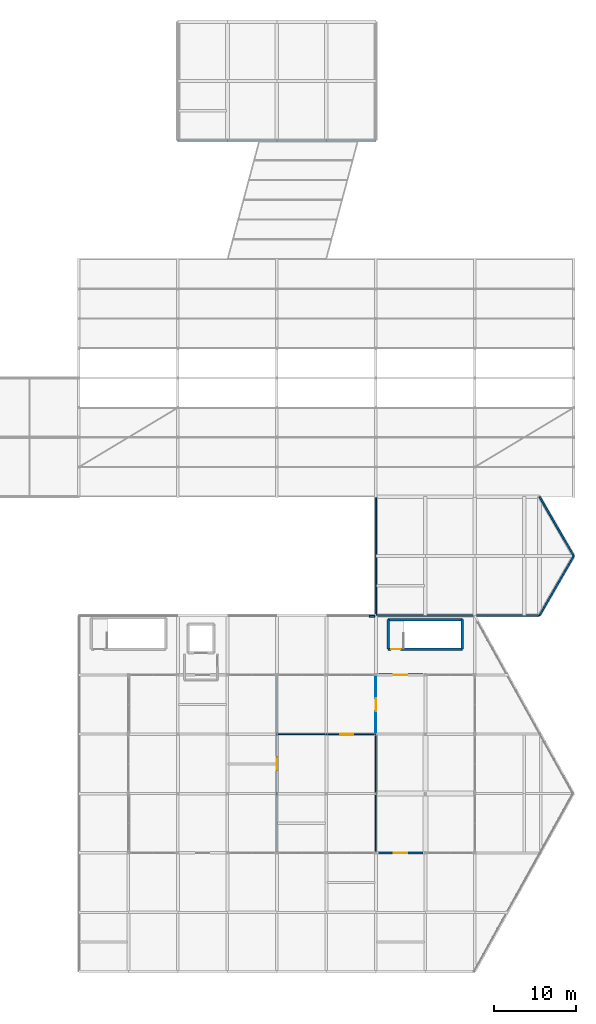
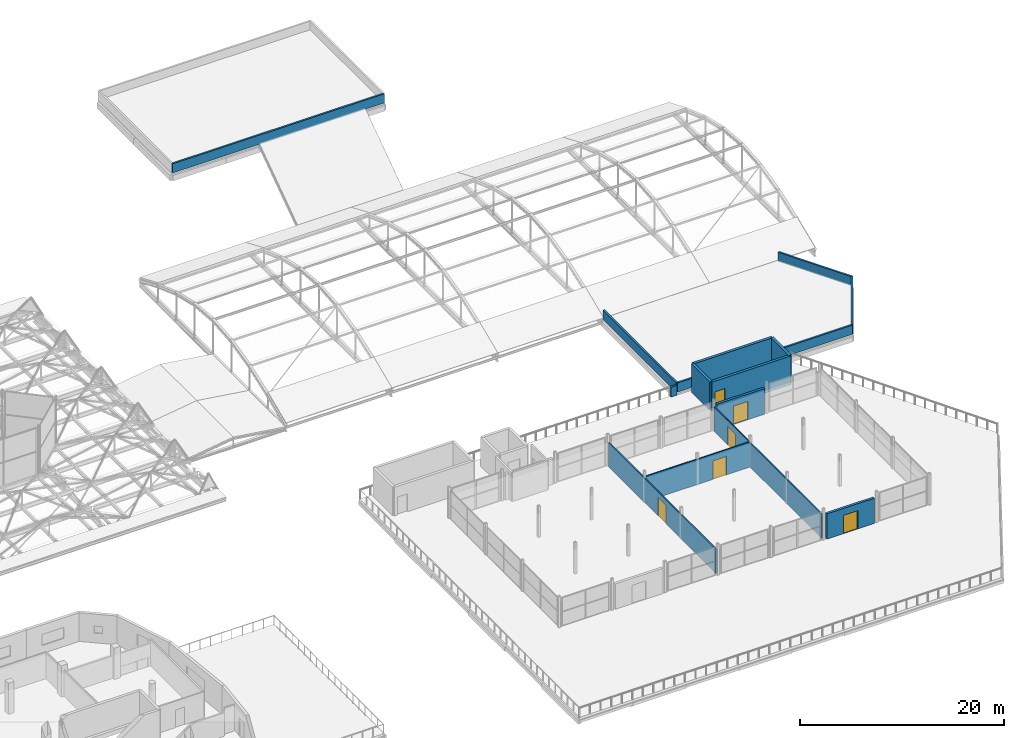
# One storey, part 230 of 239: 16 walls, 6 doors, 6 openings.
"""IFC4 building model written with IfcOpenShell, lengths in metres."""

from ifc_helpers import new_model, si_unit, direction, frame, frame_2d, origin, place, context, subcontext, project, spatial, rectangle, extrude, material, layer, layer_set, type_object, element, fill, save


model = new_model("IFC4")

# Units and contexts
model_context = context("Model", 3, precision=1e-05, world=origin(), true_north=direction((0.0, 1.0)))
body_context = subcontext(model_context, "Body", "Model", "MODEL_VIEW")
ifc_project = project(units=[si_unit("LENGTHUNIT", "METRE"), si_unit("AREAUNIT", "SQUARE_METRE"), si_unit("VOLUMEUNIT", "CUBIC_METRE"), si_unit("PLANEANGLEUNIT", "RADIAN"), si_unit("MASSUNIT", "GRAM", prefix="KILO")], contexts=[model_context])

# Site, building, storey
site_placement = place(None, origin())
site = spatial("IfcSite", under=ifc_project, at=site_placement, CompositionType="ELEMENT")
building_placement = place(site_placement, origin())
building = spatial("IfcBuilding", under=site, at=building_placement, Name="Dunvalen Ferry Terminal", CompositionType="ELEMENT")
storey_placement = place(building_placement, frame((0.0, 0.0, 9.840087890625)))
storey = spatial("IfcBuildingStorey", under=building, at=storey_placement, Name="L02", CompositionType="ELEMENT", Elevation=9.840087890625)

# Walls
ifc_material_1 = material(Name="Precast concrete C40/50", Category="concrete")
ifc_layer_1 = layer(ifc_material_1, 0.199951171875, Name="Precast concrete C40/50")
ifc_layer_set_1 = layer_set([ifc_layer_1], Name="Precast concrete C40/50")
wall_type_1 = type_object("IfcWallType", Name="ENV-WL-PAR200", PredefinedType="PARAPET", material=ifc_layer_set_1)
wall_1_placement = place(storey_placement, frame((144.0, 43.199951171875, 0.239990234375), z_axis=(0.0, 0.0, 1.0), x_axis=(1.0, 0.0, 0.0)))
element("IfcWall", 1, at=wall_1_placement, inside=storey, type_object=wall_type_1, Name="L02 V2ASE Roof Parapet 01", PredefinedType="PARAPET", context=body_context, shape_type="SweptSolid", body=[
    extrude(rectangle(XDim=19.843017578125, YDim=0.199951171875, at=frame_2d((9.92138671875, 0.0))), origin(), (0.0, 0.0, 1.0), 1.099853515625),
])
wall_2_placement = place(storey_placement, frame((163.843017578125, 43.199951171875, 0.239990234375), z_axis=(0.0, 0.0, 1.0), x_axis=(0.500007999416, 0.86602078527, 0.0)))
element("IfcWall", 2, at=wall_2_placement, inside=storey, type_object=wall_type_1, Name="L02 V2ASE Roof Parapet 02", PredefinedType="PARAPET", context=body_context, shape_type="SweptSolid", body=[
    extrude(rectangle(XDim=8.313720703125, YDim=0.199951171875, at=frame_2d((4.15673828125, 0.0))), origin(), (0.0, 0.0, 1.0), 1.099853515625),
])
wall_3_placement = place(storey_placement, frame((168.0, 50.39990234375, 0.239990234375), z_axis=(0.0, 0.0, 1.0), x_axis=(-0.499995283874, 0.866028126624, 0.0)))
element("IfcWall", 3, at=wall_3_placement, inside=storey, type_object=wall_type_1, Name="L02 V2ASE Roof Parapet 03", PredefinedType="PARAPET", context=body_context, shape_type="SweptSolid", body=[
    extrude(rectangle(XDim=8.31396484375, YDim=0.199951171875, at=frame_2d((4.156982421875, 0.0))), origin(), (0.0, 0.0, 1.0), 1.099853515625),
])
wall_4_placement = place(storey_placement, frame((144.0, 57.60009765625, 0.239990234375), z_axis=(0.0, 0.0, 1.0), x_axis=(0.0, -1.0, 0.0)))
element("IfcWall", 4, at=wall_4_placement, inside=storey, type_object=wall_type_1, Name="L02 V2ASE Roof Parapet 05", PredefinedType="PARAPET", context=body_context, shape_type="SweptSolid", body=[
    extrude(rectangle(XDim=14.400146484375, YDim=0.199951171875, at=frame_2d((7.2001953125, 0.0))), origin(), (0.0, 0.0, 1.0), 1.099853515625),
])
wall_5_placement = place(storey_placement, frame((120.0, 100.800048828125, 0.0), z_axis=(0.0, 0.0, 1.0), x_axis=(1.0, 0.0, 0.0)))
element("IfcWall", 5, at=wall_5_placement, inside=storey, type_object=wall_type_1, Name="L02 Berth Pavilion 2 S Parapet", PredefinedType="PARAPET", context=body_context, shape_type="SweptSolid", body=[
    extrude(rectangle(XDim=24.0, YDim=0.199951171875, at=frame_2d((12.0, 0.0))), origin(), (0.0, 0.0, 1.0), 1.099853515625),
])
ifc_layer_2 = layer(ifc_material_1, 0.219970703125, Name="Precast concrete C40/50")
ifc_layer_set_2 = layer_set([ifc_layer_2], Name="Precast concrete C40/50")
wall_type_2 = type_object("IfcWallType", Name="ENV-WL-PAR220", PredefinedType="PARAPET", material=ifc_layer_set_2)
wall_6_placement = place(storey_placement, frame((143.199951171875, 43.10009765625, 0.0), z_axis=(0.0, 0.0, 1.0), x_axis=(1.0, 0.0, 0.0)))
element("IfcWall", 6, at=wall_6_placement, inside=storey, type_object=wall_type_2, Name="L02 Promenade North-East Dividing Parapet", PredefinedType="PARAPET", context=body_context, shape_type="SweptSolid", body=[
    extrude(rectangle(XDim=0.679931640625, YDim=0.219970703125, at=frame_2d((0.33984375, 0.0))), origin(), (0.0, 0.0, 1.0), 1.179931640625),
])

# Wall, opening, door
ifc_layer_3 = layer(ifc_material_1, 0.27001953125, Name="Precast concrete C40/50")
ifc_layer_set_3 = layer_set([ifc_layer_3], Name="Precast concrete C40/50")
wall_type_3 = type_object("IfcWallType", Name="ENV-WL-PAV270", PredefinedType="SOLIDWALL", material=ifc_layer_set_3)
wall_7_placement = place(storey_placement, frame((144.300048828125, 14.39990234375, 0.0), z_axis=(0.0, 0.0, 1.0), x_axis=(1.0, 0.0, 0.0)))
wall_7 = element("IfcWall", 7, at=wall_7_placement, inside=storey, type_object=wall_type_3, Name="L02 Promenade Pavilion S Entrance Wall 6", PredefinedType="SOLIDWALL", context=body_context, shape_type="SweptSolid", body=[
    extrude(rectangle(XDim=5.39990234375, YDim=0.27001953125, at=frame_2d((2.699951171875, 0.0))), origin(), (0.0, 0.0, 1.0), 3.032958984375),
])
opening_1_placement = place(wall_7_placement, frame((1.89990234375, 0.0, 0.0)))
opening_1 = element("IfcOpeningElement", 8, at=opening_1_placement, cuts=wall_7, Name="Opening ED-04", PredefinedType="OPENING", context=body_context, shape_type="SweptSolid", body=[
    extrude(rectangle(XDim=1.60009765625, YDim=2.199951171875, at=frame_2d((0.800048828125, 1.10009765625))), frame((0.0, 0.14501953125, 0.0), z_axis=(0.0, -1.0, 0.0), x_axis=(1.0, 0.0, 0.0)), (0.0, 0.0, 1.0), 0.2900390625),
])
ifc_material_2 = material(Name="Marine grade powder-coated aluminium and laminated glass", Category="aluminium")
door_type_1 = type_object("IfcDoorType", Name="ENV-DR-EXT-1600", OperationType="DOUBLE_SWING_LEFT", PredefinedType="DOOR", material=ifc_material_2)
door_1_placement = place(opening_1_placement, frame((1.60009765625, 0.0, 0.0), z_axis=(0.0, 0.0, 1.0), x_axis=(-1.0, 0.0, 0.0)))
door_1 = element("IfcDoor", 9, at=door_1_placement, inside=storey, type_object=door_type_1, Name="L02 Promenade Pavilion S Terrace Door 6", OperationType="DOUBLE_SWING_LEFT", OverallHeight=2.199951171875, OverallWidth=1.60009765625, PredefinedType="DOOR", context=body_context, shape_type="SweptSolid", body=[
    extrude(rectangle(XDim=1.60009765625, YDim=2.199951171875, at=frame_2d((0.800048828125, 1.10009765625))), frame((0.0, 0.02490234375, 0.0), z_axis=(0.0, -1.0, 0.0), x_axis=(1.0, 0.0, 0.0)), (0.0, 0.0, 1.0), 0.050048828125),
])
fill(opening_1, door_1)

wall_8_placement = place(storey_placement, frame((144.300048828125, 36.0, 0.0), z_axis=(0.0, 0.0, 1.0), x_axis=(1.0, 0.0, 0.0)))
wall_8 = element("IfcWall", 10, at=wall_8_placement, inside=storey, type_object=wall_type_3, Name="L02 Promenade Pavilion N Entrance Wall 6", PredefinedType="SOLIDWALL", context=body_context, shape_type="SweptSolid", body=[
    extrude(rectangle(XDim=5.39990234375, YDim=0.27001953125, at=frame_2d((2.699951171875, 0.0))), origin(), (0.0, 0.0, 1.0), 3.08349609375),
])
opening_2_placement = place(wall_8_placement, frame((1.89990234375, 0.0, 0.0)))
opening_2 = element("IfcOpeningElement", 11, at=opening_2_placement, cuts=wall_8, Name="Opening ED-04", PredefinedType="OPENING", context=body_context, shape_type="SweptSolid", body=[
    extrude(rectangle(XDim=1.60009765625, YDim=2.199951171875, at=frame_2d((0.800048828125, 1.10009765625))), frame((0.0, 0.14501953125, 0.0), z_axis=(0.0, -1.0, 0.0), x_axis=(1.0, 0.0, 0.0)), (0.0, 0.0, 1.0), 0.2900390625),
])
door_2_placement = place(opening_2_placement, origin())
door_2 = element("IfcDoor", 12, at=door_2_placement, inside=storey, type_object=door_type_1, Name="L02 Promenade Pavilion N Terrace Door 6", OperationType="DOUBLE_SWING_LEFT", OverallHeight=2.199951171875, OverallWidth=1.60009765625, PredefinedType="DOOR", context=body_context, shape_type="SweptSolid", body=[
    extrude(rectangle(XDim=1.60009765625, YDim=2.199951171875, at=frame_2d((0.800048828125, 1.10009765625))), frame((0.0, 0.02490234375, 0.0), z_axis=(0.0, -1.0, 0.0), x_axis=(1.0, 0.0, 0.0)), (0.0, 0.0, 1.0), 0.050048828125),
])
fill(opening_2, door_2)

ifc_material_3 = material(Name="Compact wet-room cubicle liner wall", Category="gypsum")
ifc_layer_4 = layer(ifc_material_3, 0.114990234375, Name="Compact wet-room cubicle liner wall")
ifc_layer_set_4 = layer_set([ifc_layer_4], Name="Compact wet-room cubicle liner wall")
wall_type_4 = type_object("IfcWallType", Name="INT-WL-PRT115", PredefinedType="PARTITIONING", material=ifc_layer_set_4)
wall_9_placement = place(storey_placement, frame((144.0, 35.780029296875, 0.0), z_axis=(0.0, 0.0, 1.0), x_axis=(0.0, -1.0, 0.0)))
wall_9 = element("IfcWall", 13, at=wall_9_placement, inside=storey, type_object=wall_type_4, Name="L02 L02 Community Maritime Heritage Exhibition Gallery Partition 7", PredefinedType="PARTITIONING", context=body_context, shape_type="SweptSolid", body=[
    extrude(rectangle(XDim=6.820068359375, YDim=0.114990234375, at=frame_2d((3.41015625, 0.0))), origin(), (0.0, 0.0, 1.0), 2.956787109375),
])
opening_3_placement = place(wall_9_placement, frame((2.635009765625, 0.0, 0.0)))
opening_3 = element("IfcOpeningElement", 14, at=opening_3_placement, cuts=wall_9, Name="Opening ID-15", PredefinedType="OPENING", context=body_context, shape_type="SweptSolid", body=[
    extrude(rectangle(XDim=1.550048828125, YDim=2.219970703125, at=frame_2d((0.77490234375, 1.10986328125))), frame((0.0, 0.0673828125, 0.0), z_axis=(0.0, -1.0, 0.0), x_axis=(1.0, 0.0, 0.0)), (0.0, 0.0, 1.0), 0.135009765625),
])
ifc_material_4 = material(Name="Slimline acoustic glazed double door", Category="aluminium")
door_type_2 = type_object("IfcDoorType", Name="INT-DR-CAF-1550", OperationType="DOUBLE_SWING_LEFT", PredefinedType="DOOR", material=ifc_material_4)
door_3_placement = place(opening_3_placement, origin())
door_3 = element("IfcDoor", 15, at=door_3_placement, inside=storey, type_object=door_type_2, Name="L02 Community Maritime Heritage Exhibition Gallery Door", OperationType="DOUBLE_SWING_LEFT", OverallHeight=2.219970703125, OverallWidth=1.550048828125, PredefinedType="DOOR", context=body_context, shape_type="SweptSolid", body=[
    extrude(rectangle(XDim=1.550048828125, YDim=2.219970703125, at=frame_2d((0.77490234375, 1.10986328125))), frame((0.0, 0.02490234375, 0.0), z_axis=(0.0, -1.0, 0.0), x_axis=(1.0, 0.0, 0.0)), (0.0, 0.0, 1.0), 0.050048828125),
])
fill(opening_3, door_3)

# Wall
ifc_material_5 = material(Name="Lightweight acoustic partition", Category="gypsum")
ifc_layer_5 = layer(ifc_material_5, 0.1298828125, Name="Lightweight acoustic partition")
ifc_layer_set_5 = layer_set([ifc_layer_5], Name="Lightweight acoustic partition")
wall_type_5 = type_object("IfcWallType", Name="INT-WL-PRT130", PredefinedType="PARTITIONING", material=ifc_layer_set_5)
wall_10_placement = place(storey_placement, frame((144.0, 14.6201171875, 0.0), z_axis=(0.0, 0.0, 1.0), x_axis=(0.0, 1.0, 0.0)))
element("IfcWall", 16, at=wall_10_placement, inside=storey, type_object=wall_type_5, Name="L02 L02 Maritime Travel Retail and Bookshop Partition 1", PredefinedType="PARTITIONING", context=body_context, shape_type="SweptSolid", body=[
    extrude(rectangle(XDim=14.179931640625, YDim=0.1298828125, at=frame_2d((7.08984375, 0.0))), origin(), (0.0, 0.0, 1.0), 2.88232421875),
])

# Wall, opening, door
wall_11_placement = place(storey_placement, frame((144.0, 28.800048828125, 0.0), z_axis=(0.0, 0.0, 1.0), x_axis=(-1.0, 0.0, 0.0)))
wall_11 = element("IfcWall", 17, at=wall_11_placement, inside=storey, type_object=wall_type_5, Name="L02 L02 Maritime Travel Retail and Bookshop Partition 2", PredefinedType="PARTITIONING", context=body_context, shape_type="SweptSolid", body=[
    extrude(rectangle(XDim=11.840087890625, YDim=0.1298828125, at=frame_2d((5.919921875, 0.0))), origin(), (0.0, 0.0, 1.0), 3.032958984375),
])
opening_4_placement = place(wall_11_placement, frame((2.742431640625, 0.0, 0.0)))
opening_4 = element("IfcOpeningElement", 18, at=opening_4_placement, cuts=wall_11, Name="Opening ID-15", PredefinedType="OPENING", context=body_context, shape_type="SweptSolid", body=[
    extrude(rectangle(XDim=1.550048828125, YDim=2.219970703125, at=frame_2d((0.77490234375, 1.10986328125))), frame((0.0, 0.074951171875, 0.0), z_axis=(0.0, -1.0, 0.0), x_axis=(1.0, 0.0, 0.0)), (0.0, 0.0, 1.0), 0.14990234375),
])
door_4_placement = place(opening_4_placement, origin())
door_4 = element("IfcDoor", 19, at=door_4_placement, inside=storey, type_object=door_type_2, Name="L02 Maritime Travel Retail and Bookshop Door", OperationType="DOUBLE_SWING_LEFT", OverallHeight=2.219970703125, OverallWidth=1.550048828125, PredefinedType="DOOR", context=body_context, shape_type="SweptSolid", body=[
    extrude(rectangle(XDim=1.550048828125, YDim=2.219970703125, at=frame_2d((0.77490234375, 1.10986328125))), frame((0.0, 0.02490234375, 0.0), z_axis=(0.0, -1.0, 0.0), x_axis=(1.0, 0.0, 0.0)), (0.0, 0.0, 1.0), 0.050048828125),
])
fill(opening_4, door_4)

ifc_material_6 = material(Name="Metal-stud gypsum partition", Category="gypsum")
ifc_layer_6 = layer(ifc_material_6, 0.139892578125, Name="Metal-stud gypsum partition")
ifc_layer_set_6 = layer_set([ifc_layer_6], Name="Metal-stud gypsum partition")
wall_type_6 = type_object("IfcWallType", Name="INT-WL-PRT140", PredefinedType="PARTITIONING", material=ifc_layer_set_6)
wall_12_placement = place(storey_placement, frame((132.0, 14.6201171875, 0.0), z_axis=(0.0, 0.0, 1.0), x_axis=(0.0, 1.0, 0.0)))
wall_12 = element("IfcWall", 20, at=wall_12_placement, inside=storey, type_object=wall_type_6, Name="L02 L02 Harbour Promenade Cafe and Bay Dining Room Partition 2", PredefinedType="PARTITIONING", context=body_context, shape_type="SweptSolid", body=[
    extrude(rectangle(XDim=21.159912109375, YDim=0.139892578125, at=frame_2d((10.580078125, 0.0))), origin(), (0.0, 0.0, 1.0), 2.88232421875),
])
opening_5_placement = place(wall_12_placement, frame((9.804931640625, 0.0, 0.0)))
opening_5 = element("IfcOpeningElement", 21, at=opening_5_placement, cuts=wall_12, Name="Opening ID-15", PredefinedType="OPENING", context=body_context, shape_type="SweptSolid", body=[
    extrude(rectangle(XDim=1.550048828125, YDim=2.219970703125, at=frame_2d((0.77490234375, 1.10986328125))), frame((0.0, 0.080078125, 0.0), z_axis=(0.0, -1.0, 0.0), x_axis=(1.0, 0.0, 0.0)), (0.0, 0.0, 1.0), 0.159912109375),
])
door_5_placement = place(opening_5_placement, origin())
door_5 = element("IfcDoor", 22, at=door_5_placement, inside=storey, type_object=door_type_2, Name="L02 Harbour Promenade Cafe and Bay Dining Room Door", OperationType="DOUBLE_SWING_LEFT", OverallHeight=2.219970703125, OverallWidth=1.550048828125, PredefinedType="DOOR", context=body_context, shape_type="SweptSolid", body=[
    extrude(rectangle(XDim=1.550048828125, YDim=2.219970703125, at=frame_2d((0.77490234375, 1.10986328125))), frame((0.0, 0.02490234375, 0.0), z_axis=(0.0, -1.0, 0.0), x_axis=(1.0, 0.0, 0.0)), (0.0, 0.0, 1.0), 0.050048828125),
])
fill(opening_5, door_5)

# Walls
ifc_material_7 = material(Name="Concrete C40/50", Category="concrete")
ifc_layer_7 = layer(ifc_material_7, 0.300048828125, Name="Concrete C40/50")
ifc_layer_set_7 = layer_set([ifc_layer_7], Name="Concrete C40/50")
wall_type_7 = type_object("IfcWallType", Name="STR-WL-SHR300", PredefinedType="SHEAR", material=ifc_layer_set_7)
for number, where, z_axis, x_axis, name in (
    (23, (145.5, 39.10009765625, 0.0), (0.0, 0.0, 1.0), (0.0, 1.0, 0.0), "L02 ST6 Core West Shear Wall"),
    (24, (154.5, 39.10009765625, 0.0), (0.0, 0.0, 1.0), (0.0, 1.0, 0.0), "L02 ST6 Core East Shear Wall"),
):
    element("IfcWall", number, at=place(storey_placement, frame(where, z_axis=z_axis, x_axis=x_axis)), inside=storey, type_object=wall_type_7, Name=name, PredefinedType="SHEAR", context=body_context, shape_type="SweptSolid", body=[
        extrude(rectangle(XDim=3.599853515625, YDim=0.300048828125, at=frame_2d((1.7998046875, 0.0))), origin(), (0.0, 0.0, 1.0), 3.43994140625),
    ])
wall_13_placement = place(storey_placement, frame((145.5, 42.699951171875, 0.0), z_axis=(0.0, 0.0, 1.0), x_axis=(1.0, 0.0, 0.0)))
element("IfcWall", 25, at=wall_13_placement, inside=storey, type_object=wall_type_7, Name="L02 ST6 Core North Shear Wall", PredefinedType="SHEAR", context=body_context, shape_type="SweptSolid", body=[
    extrude(rectangle(XDim=9.0, YDim=0.300048828125, at=frame_2d((4.5, 0.0))), origin(), (0.0, 0.0, 1.0), 3.43994140625),
])

# Wall, opening, door
wall_14_placement = place(storey_placement, frame((145.5, 39.10009765625, 0.0), z_axis=(0.0, 0.0, 1.0), x_axis=(1.0, 0.0, 0.0)))
wall_14 = element("IfcWall", 26, at=wall_14_placement, inside=storey, type_object=wall_type_7, Name="L02 ST6 Core South Shear Wall", PredefinedType="SHEAR", context=body_context, shape_type="SweptSolid", body=[
    extrude(rectangle(XDim=9.0, YDim=0.300048828125, at=frame_2d((4.5, 0.0))), origin(), (0.0, 0.0, 1.0), 3.43994140625),
])
opening_6_placement = place(wall_14_placement, frame((0.35009765625, 0.0, 0.0)))
opening_6 = element("IfcOpeningElement", 27, at=opening_6_placement, cuts=wall_14, Name="Opening ID-02", PredefinedType="OPENING", context=body_context, shape_type="SweptSolid", body=[
    extrude(rectangle(XDim=1.14990234375, YDim=2.14990234375, at=frame_2d((0.574951171875, 1.074951171875))), frame((0.0, 0.16015625, 0.0), z_axis=(0.0, -1.0, 0.0), x_axis=(1.0, 0.0, 0.0)), (0.0, 0.0, 1.0), 0.320068359375),
])
ifc_material_8 = material(Name="Powder-coated steel fire door", Category="steel")
door_type_3 = type_object("IfcDoorType", Name="INT-DR-STR-1150", OperationType="NOTDEFINED", PredefinedType="DOOR", material=ifc_material_8)
door_6_placement = place(opening_6_placement, frame((1.14990234375, 0.0, 0.0), z_axis=(0.0, 0.0, 1.0), x_axis=(-1.0, 0.0, 0.0)))
door_6 = element("IfcDoor", 28, at=door_6_placement, inside=storey, type_object=door_type_3, Name="L02 ST6 Escape Stair Fire Door", OperationType="SINGLE_SWING_LEFT", OverallHeight=2.14990234375, OverallWidth=1.14990234375, PredefinedType="DOOR", context=body_context, shape_type="SweptSolid", body=[
    extrude(rectangle(XDim=1.14990234375, YDim=2.14990234375, at=frame_2d((0.574951171875, 1.074951171875))), frame((0.0, 0.02490234375, 0.0), z_axis=(0.0, -1.0, 0.0), x_axis=(1.0, 0.0, 0.0)), (0.0, 0.0, 1.0), 0.050048828125),
])
fill(opening_6, door_6)

save(model, "model.ifc")
